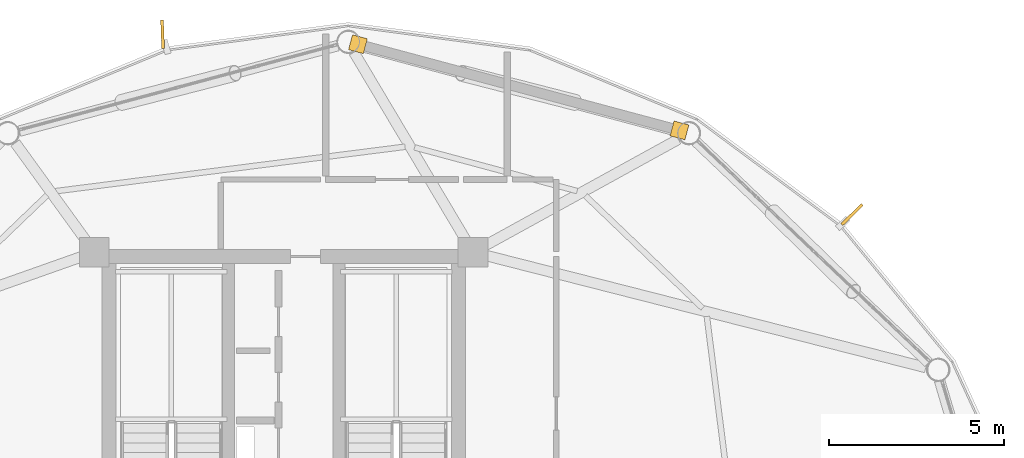
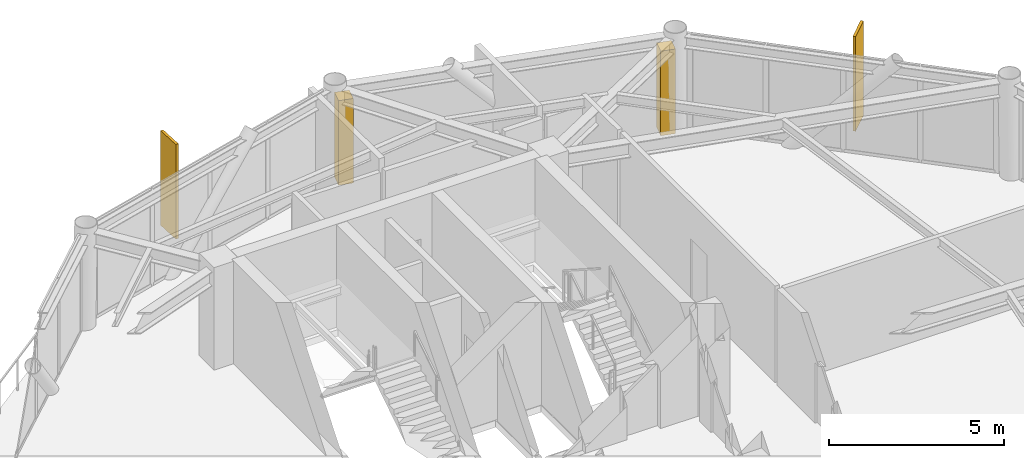
# One storey, part 28 of 28: 2 coverings, 2 shading devices.
"""IFC4 building model written with IfcOpenShell, lengths in metres."""

from ifc_helpers import new_model, si_unit, direction, frame, origin, origin_2d, place, context, subcontext, project, spatial, rectangle, extrude, source, transform, mapped, material, layer, layer_set, type_object, type_shapes, element, save


model = new_model("IFC4")

# Units and contexts
model_context = context("Model", 3, precision=1e-05, world=origin(), true_north=direction((0.0, 1.0)))
body_context = subcontext(model_context, "Body", "Model", "MODEL_VIEW")
ifc_project = project(units=[si_unit("LENGTHUNIT", "METRE"), si_unit("AREAUNIT", "SQUARE_METRE"), si_unit("VOLUMEUNIT", "CUBIC_METRE"), si_unit("PLANEANGLEUNIT", "RADIAN"), si_unit("MASSUNIT", "GRAM", prefix="KILO")], contexts=[model_context])

# Site, building, storey
site_placement = place(None, origin())
site = spatial("IfcSite", under=ifc_project, at=site_placement, CompositionType="ELEMENT")
building_placement = place(site_placement, origin())
building = spatial("IfcBuilding", under=site, at=building_placement, Name="Varnakorn Sky Granary", CompositionType="ELEMENT")
storey_placement = place(building_placement, frame((0.0, 0.0, 186.0)))
storey = spatial("IfcBuildingStorey", under=building, at=storey_placement, Name="L46", CompositionType="ELEMENT", Elevation=186.0)

# Shading devices
ifc_material = material(Name="Anodised Bronze Aluminium Alloy 6063-T6", Category="aluminium")
shading_device_type = type_object("IfcShadingDeviceType", Name="SH-FIN-02", PredefinedType="USERDEFINED", material=ifc_material)
shared_shape_1 = source(origin(), body_context, "Body", "SweptSolid", [
    extrude(rectangle(XDim=0.0849609375, YDim=0.820068359375, at=origin_2d()), origin(), (0.0, 0.0, 1.0), 3.300048828125),
])
type_shapes(shading_device_type, [shared_shape_1])
for number, where, z_axis, x_axis, name in (
    (1, (19.274658203125, 13.7001953125, -0.0400390625), (0.0, 0.0, 1.0), (-0.699019539935, 0.71510256802, 0.0), "Bronze Solar-Tracking Vertical Blade FIN L46-02"),
    (2, (-0.4677734375, 18.856201171875, -0.0400390625), (0.0, 0.0, 1.0), (-0.999324058193, -0.036761756159, 0.0), "Bronze Solar-Tracking Vertical Blade FIN L46-04"),
):
    element("IfcShadingDevice", number, at=place(storey_placement, frame(where, z_axis=z_axis, x_axis=x_axis)), inside=storey, type_object=shading_device_type, Name=name, ObjectType="FIN", PredefinedType="USERDEFINED", context=body_context, shape_type="MappedRepresentation", body=[
        mapped(shared_shape_1, transform((0.0, 0.0, 0.0), x_axis=(1.0, 0.0, 0.0), y_axis=(0.0, 1.0, 0.0), z_axis=(0.0, 0.0, 1.0), scale=1.0)),
    ])

# Coverings
ifc_layer = layer(ifc_material, 0.050048828125, Name="Anodised Bronze Aluminium Alloy 6063-T6")
ifc_layer_set = layer_set([ifc_layer], Name="Anodised Bronze Aluminium Alloy 6063-T6")
covering_type = type_object("IfcCoveringType", Name="CV-CLAD-50", PredefinedType="CLADDING", material=ifc_layer_set)
shared_shape_2 = source(origin(), body_context, "Body", "SweptSolid", [
    extrude(rectangle(XDim=0.43994140625, YDim=0.43994140625, at=origin_2d()), origin(), (0.0, 0.0, 1.0), 2.949951171875),
])
type_shapes(covering_type, [shared_shape_2])
for number, where, z_axis, x_axis, name in (
    (3, (5.125244140625, 18.57421875, -0.02001953125), (0.0, 0.0, 1.0), (0.965880639132, -0.25898762702, 0.0), "Bronze Corner Pilaster Closure L46-P03-A"),
    (4, (14.330810546875, 16.1064453125, -0.02001953125), (0.0, 0.0, 1.0), (0.965880639132, -0.25898762702, 0.0), "Bronze Corner Pilaster Closure L46-P03-B"),
):
    element("IfcCovering", number, at=place(storey_placement, frame(where, z_axis=z_axis, x_axis=x_axis)), inside=storey, type_object=covering_type, Name=name, PredefinedType="CLADDING", context=body_context, shape_type="MappedRepresentation", body=[
        mapped(shared_shape_2, transform((0.0, 0.0, 0.0), x_axis=(1.0, 0.0, 0.0), y_axis=(0.0, 1.0, 0.0), z_axis=(0.0, 0.0, 1.0), scale=1.0)),
    ])

save(model, "model.ifc")
